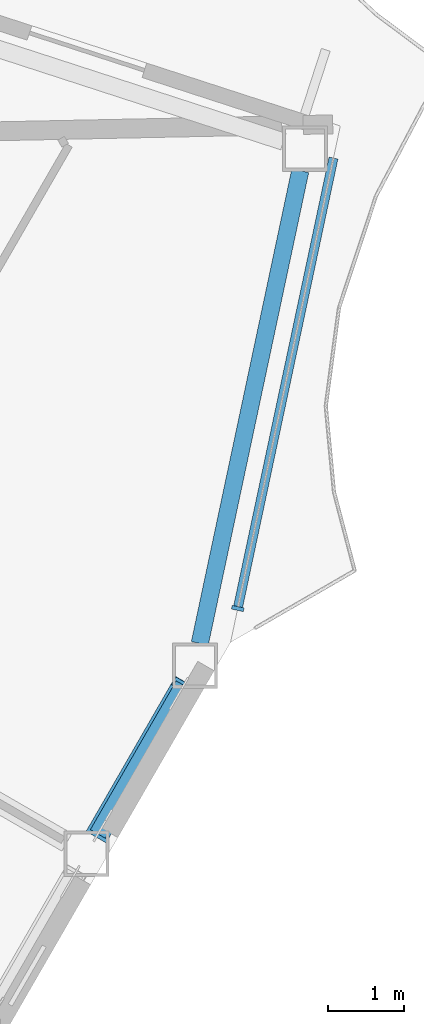
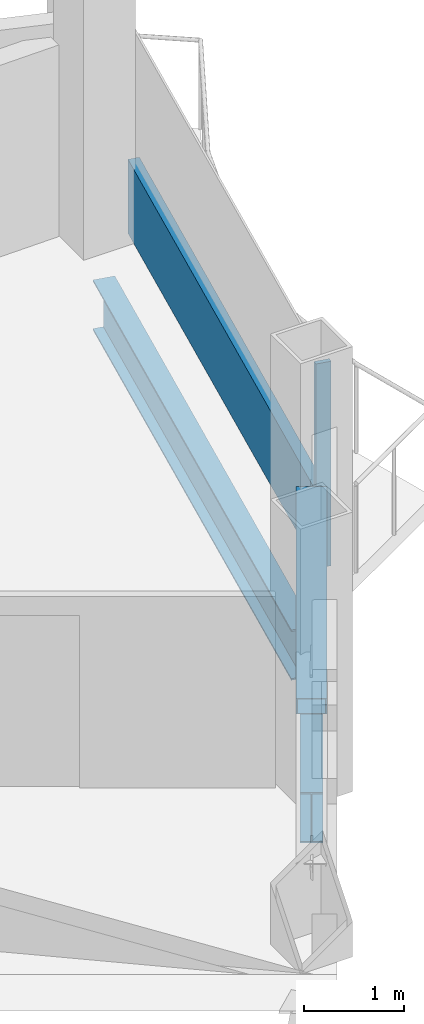
# One storey, part 8 of 27: 3 members, 2 beams, 1 element without a shape of its own.
"""IFC4 building model written with IfcOpenShell, lengths in metres."""

from ifc_helpers import new_model, si_unit, direction, frame, origin, origin_2d, place, context, subcontext, project, spatial, rectangle, hollow_rectangle, i_section, extrude, material, layer, layer_set, material_profile, profile_set, type_object, element, aggregate, save


model = new_model("IFC4")

# Units and contexts
model_context = context("Model", 3, precision=1e-05, world=origin(), true_north=direction((0.0, 1.0)))
body_context = subcontext(model_context, "Body", "Model", "MODEL_VIEW")
ifc_project = project(units=[si_unit("LENGTHUNIT", "METRE"), si_unit("AREAUNIT", "SQUARE_METRE"), si_unit("VOLUMEUNIT", "CUBIC_METRE"), si_unit("PLANEANGLEUNIT", "RADIAN"), si_unit("MASSUNIT", "GRAM", prefix="KILO")], contexts=[model_context])

# Site, building, storey
site_placement = place(None, origin())
site = spatial("IfcSite", under=ifc_project, at=site_placement, CompositionType="ELEMENT")
building_placement = place(site_placement, origin())
building = spatial("IfcBuilding", under=site, at=building_placement, Name="Cormorant Prow Tower", CompositionType="ELEMENT")
storey_placement = place(building_placement, frame((0.0, 0.0, 315.39990234375)))
storey = spatial("IfcBuildingStorey", under=building, at=storey_placement, Name="L69", CompositionType="ELEMENT", Elevation=315.39990234375)

# Member
ifc_material_1 = material(Name="Structural steel ASTM A500 Gr C", Category="steel")
ifc_material_profile_1 = material_profile(ifc_material_1, hollow_rectangle(XDim=0.3046875, YDim=0.3046875, WallThickness=0.01171875, at=origin_2d()), Name="HSS12x12x1/2")
ifc_profile_set_1 = profile_set([ifc_material_profile_1], Name="Structural steel ASTM A500 Gr C")
member_type_1 = type_object("IfcMemberType", Name="Chamfer brace HSS12x12x1/2", PredefinedType="BRACE", material=ifc_profile_set_1)
member_1_placement = place(storey_placement, frame((27.589599609375, -15.5654296875, 0.7412109375), z_axis=(0.456265706889, 0.790324476185, 0.408911759503), x_axis=(-0.866038851724, 0.499976706761, 0.0)))
element("IfcMember", 1, at=member_1_placement, inside=storey, type_object=member_type_1, Name="Chamfer brace BR3 at ESE01 L69", PredefinedType="BRACE", context=body_context, shape_type="SweptSolid", body=[
    extrude(hollow_rectangle(XDim=0.3046875, YDim=0.3046875, WallThickness=0.01171875, at=origin_2d()), origin(), (0.0, 0.0, 1.0), 2.459228515625),
])

# Curtain wall, members
ifc_material_2 = material(Name="Aluminium 6063-T6", Category="aluminium")
ifc_layer = layer(ifc_material_2, 0.159912109375)
ifc_layer_set = layer_set([ifc_layer], Name="Aluminium 6063-T6")
curtain_wall_type = type_object("IfcCurtainWallType", Name="Residential unitised curtain wall 160", PredefinedType="NOTDEFINED", material=ifc_layer_set)
curtain_wall_placement = place(storey_placement, origin())
curtain_wall = element("IfcCurtainWall", 2, at=curtain_wall_placement, inside=storey, type_object=curtain_wall_type, Name="Residential curtain wall ENE00", PredefinedType="NOTDEFINED")
ifc_material_3 = material(Name="Aluminium 6063-T6", Category="aluminium")
ifc_material_profile_2 = material_profile(ifc_material_3, rectangle(XDim=0.159912109375, YDim=0.050048828125, at=origin_2d()), Name="Residential mullion 50x160")
ifc_profile_set_2 = profile_set([ifc_material_profile_2], Name="Aluminium 6063-T6")
member_type_2 = type_object("IfcMemberType", Name="Residential mullion 50x160", PredefinedType="MULLION", material=ifc_profile_set_2)
member_2_placement = place(storey_placement, frame((29.433837890625, -12.59326171875, 0.0), z_axis=(0.0, 0.0, 1.0), x_axis=(-0.978147615151, 0.207911622991, 0.0)))
member_2 = element("IfcMember", 3, at=member_2_placement, type_object=member_type_2, Name="Residential mullion ENE00", PredefinedType="MULLION", context=body_context, shape_type="SweptSolid", body=[
    extrude(rectangle(XDim=0.159912109375, YDim=0.050048828125, at=origin_2d()), origin(), (0.0, 0.0, 1.0), 2.488037109375),
])
ifc_material_4 = material(Name="Terracotta", Category="masonry")
ifc_material_profile_3 = material_profile(ifc_material_4, rectangle(XDim=0.1201171875, YDim=0.89990234375, at=origin_2d()), Name="Residential terracotta spandrel rail 120x900")
ifc_profile_set_3 = profile_set([ifc_material_profile_3], Name="Terracotta")
member_type_3 = type_object("IfcMemberType", Name="Residential terracotta spandrel rail 120x900", PredefinedType="USERDEFINED", material=ifc_profile_set_3)
member_3_placement = place(storey_placement, frame((29.43896484375, -12.56884765625, 0.4501953125), z_axis=(0.207913597079, 0.978147195544, 0.0), x_axis=(-0.978147195544, 0.207913597079, 0.0)))
member_3 = element("IfcMember", 4, at=member_3_placement, type_object=member_type_3, Name="Residential spandrel rail ENE00", ObjectType="TRANSOM", PredefinedType="USERDEFINED", context=body_context, shape_type="SweptSolid", body=[
    extrude(rectangle(XDim=0.1201171875, YDim=0.89990234375, at=origin_2d()), origin(), (0.0, 0.0, 1.0), 6.069580078125),
])
aggregate(curtain_wall, [member_2, member_3])

# Beams
ifc_material_5 = material(Name="Structural steel ASTM A992 Gr 50", Category="steel")
ifc_material_profile_4 = material_profile(ifc_material_5, i_section(OverallWidth=0.22900390625, OverallDepth=0.612060546875, WebThickness=0.011962890625, FlangeThickness=0.01953125, at=origin_2d()), Name="W24x84")
ifc_profile_set_4 = profile_set([ifc_material_profile_4], Name="Structural steel ASTM A992 Gr 50")
beam_type = type_object("IfcBeamType", Name="Spandrel beam W24x84", PredefinedType="SPANDREL", material=ifc_profile_set_4)
beam_1_placement = place(storey_placement, frame((27.582275390625, -15.578125, -0.60595703125), z_axis=(0.500053962254, 0.865994246421, 0.0), x_axis=(-0.865994246421, 0.500053962254, 0.0)))
element("IfcBeam", 5, at=beam_1_placement, inside=storey, type_object=beam_type, Name="Spandrel beam SB3 ESE01-ENE00 L69", PredefinedType="SPANDREL", context=body_context, shape_type="SweptSolid", body=[
    extrude(i_section(OverallWidth=0.22900390625, OverallDepth=0.612060546875, WebThickness=0.011962890625, FlangeThickness=0.01953125, at=origin_2d()), origin(), (0.0, 0.0, 1.0), 2.273681640625),
])
beam_2_placement = place(storey_placement, frame((28.931640625, -13.055908203125, -0.60595703125), z_axis=(0.20791262393, 0.978147402394, 0.0), x_axis=(-0.978147402394, 0.20791262393, 0.0)))
element("IfcBeam", 6, at=beam_2_placement, inside=storey, type_object=beam_type, Name="Spandrel beam SB3 ENE00-ENE01 L69", PredefinedType="SPANDREL", context=body_context, shape_type="SweptSolid", body=[
    extrude(i_section(OverallWidth=0.22900390625, OverallDepth=0.612060546875, WebThickness=0.011962890625, FlangeThickness=0.01953125, at=origin_2d()), origin(), (0.0, 0.0, 1.0), 6.396240234375),
])

save(model, "model.ifc")
